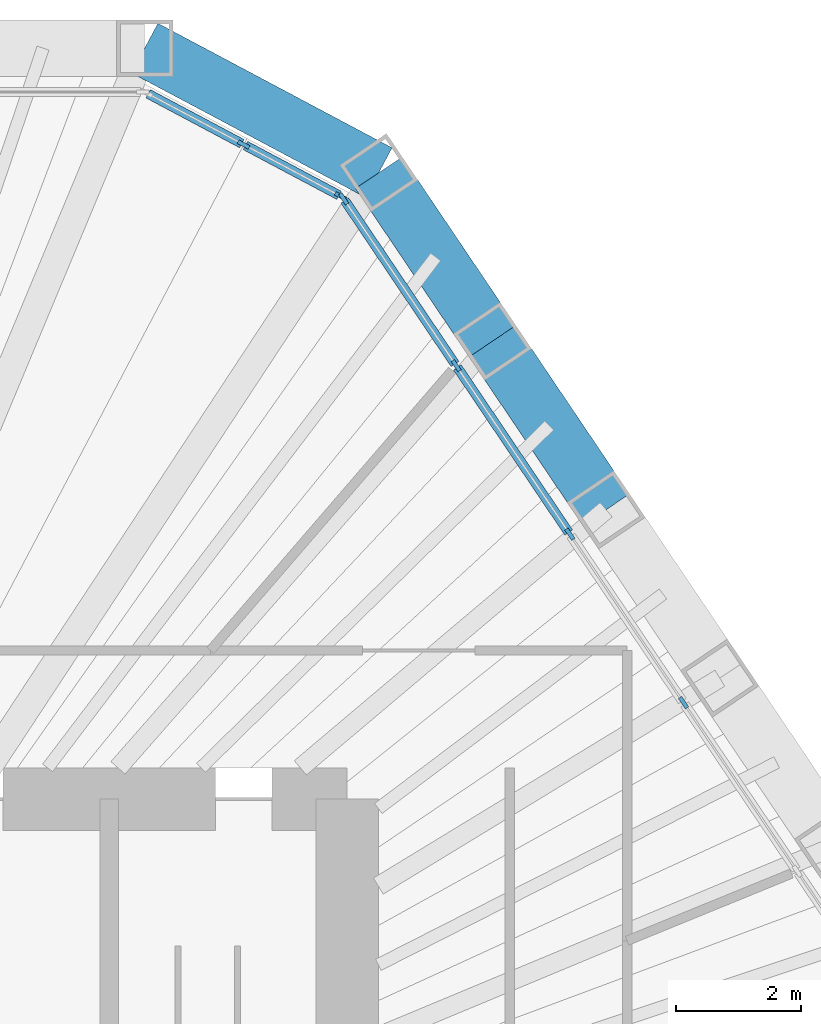
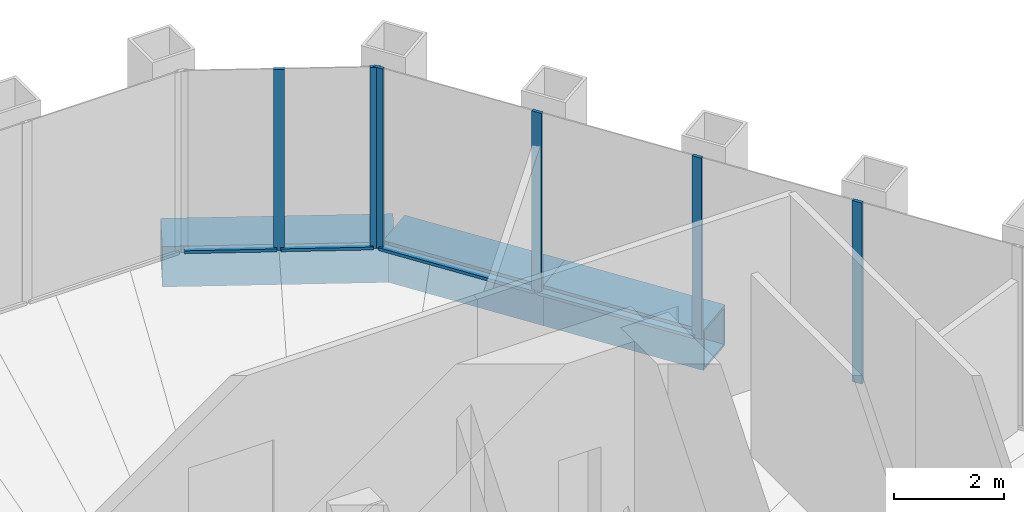
# One storey, part 8 of 14: 10 members, 3 beams, 2 elements without a shape of their own.
"""IFC4 building model written with IfcOpenShell, lengths in metres."""

from ifc_helpers import new_model, si_unit, direction, frame, origin, origin_2d, place, context, subcontext, project, spatial, rectangle, hollow_rectangle, extrude, material, material_profile, profile_set, type_object, element, aggregate, save


model = new_model("IFC4")

# Units and contexts
model_context = context("Model", 3, precision=1e-05, world=origin(), true_north=direction((0.0, 1.0)))
body_context = subcontext(model_context, "Body", "Model", "MODEL_VIEW")
ifc_project = project(units=[si_unit("LENGTHUNIT", "METRE"), si_unit("AREAUNIT", "SQUARE_METRE"), si_unit("VOLUMEUNIT", "CUBIC_METRE"), si_unit("PLANEANGLEUNIT", "RADIAN"), si_unit("MASSUNIT", "GRAM", prefix="KILO")], contexts=[model_context])

# Site, building, storey
site_placement = place(None, origin())
site = spatial("IfcSite", under=ifc_project, at=site_placement, CompositionType="ELEMENT")
building_placement = place(site_placement, origin())
building = spatial("IfcBuilding", under=site, at=building_placement, Name="Qingtian Harvest Tower", CompositionType="ELEMENT")
storey_placement = place(building_placement, frame((0.0, 0.0, 274.60009765625)))
storey = spatial("IfcBuildingStorey", under=building, at=storey_placement, Name="L60", CompositionType="ELEMENT", Elevation=274.60009765625)

# Curtain wall, members
ifc_material_1 = material(Name="Bronze-anodised aluminium curtain wall", Category="aluminium")
curtain_wall_type = type_object("IfcCurtainWallType", Name="Curtain wall CW5 upper office", PredefinedType="USERDEFINED", material=ifc_material_1)
curtain_wall_1_placement = place(storey_placement, origin())
curtain_wall_1 = element("IfcCurtainWall", 1, at=curtain_wall_1_placement, inside=storey, type_object=curtain_wall_type, Name="Curtain wall CW5 L60 NC", ObjectType="RECESSED CURTAIN WALL", PredefinedType="USERDEFINED")
ifc_material_2 = material(Name="Bronze-anodised aluminium mullion", Category="aluminium")
ifc_material_profile_1 = material_profile(ifc_material_2, rectangle(XDim=0.06494140625, YDim=0.199951171875, at=origin_2d()), Name="AL 65x200")
ifc_profile_set_1 = profile_set([ifc_material_profile_1], Name="Bronze-anodised aluminium mullion")
member_type_1 = type_object("IfcMemberType", Name="Mullion CWM 65x200", PredefinedType="MULLION", material=ifc_profile_set_1)
member_1_placement = place(storey_placement, frame((10.3466796875, 19.45947265625, 0.0), z_axis=(0.0, 0.0, 1.0), x_axis=(0.469471562786, 0.882947592859, 0.0)))
member_1 = element("IfcMember", 2, at=member_1_placement, type_object=member_type_1, Name="CW5 mullion 2", PredefinedType="MULLION", context=body_context, shape_type="SweptSolid", body=[
    extrude(rectangle(XDim=0.06494140625, YDim=0.199951171875, at=origin_2d()), origin(), (0.0, 0.0, 1.0), 4.02978515625),
])
member_2_placement = place(storey_placement, frame((11.89892578125, 18.634033203125, 0.0), z_axis=(0.0, 0.0, 1.0), x_axis=(0.469471562786, 0.882947592859, 0.0)))
member_2 = element("IfcMember", 3, at=member_2_placement, type_object=member_type_1, Name="CW5 mullion 3", PredefinedType="MULLION", context=body_context, shape_type="SweptSolid", body=[
    extrude(rectangle(XDim=0.06494140625, YDim=0.199951171875, at=origin_2d()), origin(), (0.0, 0.0, 1.0), 4.02978515625),
])

curtain_wall_2_placement = place(storey_placement, origin())
curtain_wall_2 = element("IfcCurtainWall", 4, at=curtain_wall_2_placement, inside=storey, type_object=curtain_wall_type, Name="Curtain wall CW5 L60 NE0-5", ObjectType="RECESSED CURTAIN WALL", PredefinedType="USERDEFINED")
member_3_placement = place(storey_placement, frame((11.94580078125, 18.592041015625, 0.0), z_axis=(0.0, 0.0, 1.0), x_axis=(0.829037572555, 0.559192903471, 0.0)))
member_3 = element("IfcMember", 5, at=member_3_placement, type_object=member_type_1, Name="CW5 mullion 1", PredefinedType="MULLION", context=body_context, shape_type="SweptSolid", body=[
    extrude(rectangle(XDim=0.06494140625, YDim=0.199951171875, at=origin_2d()), origin(), (0.0, 0.0, 1.0), 4.02978515625),
])
member_4_placement = place(storey_placement, frame((13.743896484375, 15.926025390625, 0.0), z_axis=(0.0, 0.0, 1.0), x_axis=(0.829037572555, 0.559192903471, 0.0)))
member_4 = element("IfcMember", 6, at=member_4_placement, type_object=member_type_1, Name="CW5 mullion 2", PredefinedType="MULLION", context=body_context, shape_type="SweptSolid", body=[
    extrude(rectangle(XDim=0.06494140625, YDim=0.199951171875, at=origin_2d()), origin(), (0.0, 0.0, 1.0), 4.02978515625),
])
member_5_placement = place(storey_placement, frame((15.56005859375, 13.2333984375, 0.0), z_axis=(0.0, 0.0, 1.0), x_axis=(0.829037572555, 0.559192903471, 0.0)))
member_5 = element("IfcMember", 7, at=member_5_placement, type_object=member_type_1, Name="CW5 mullion 3", PredefinedType="MULLION", context=body_context, shape_type="SweptSolid", body=[
    extrude(rectangle(XDim=0.06494140625, YDim=0.199951171875, at=origin_2d()), origin(), (0.0, 0.0, 1.0), 4.02978515625),
])
member_6_placement = place(storey_placement, frame((17.37646484375, 10.540771484375, 0.0), z_axis=(0.0, 0.0, 1.0), x_axis=(0.829037572555, 0.559192903471, 0.0)))
member_6 = element("IfcMember", 8, at=member_6_placement, type_object=member_type_1, Name="CW5 mullion 4", PredefinedType="MULLION", context=body_context, shape_type="SweptSolid", body=[
    extrude(rectangle(XDim=0.06494140625, YDim=0.199951171875, at=origin_2d()), origin(), (0.0, 0.0, 1.0), 4.02978515625),
])

# Beams
ifc_material_3 = material(Name="Steel SM570MC", Category="steel")
ifc_material_profile_2 = material_profile(ifc_material_3, hollow_rectangle(XDim=0.89990234375, YDim=0.89990234375, WallThickness=0.050048828125, at=origin_2d()), Name="BOX900x900x50")
ifc_profile_set_2 = profile_set([ifc_material_profile_2], Name="Steel SM570MC")
beam_type = type_object("IfcBeamType", Name="Transition spandrel SB6 BOX900x900x50", PredefinedType="SPANDREL", material=ifc_profile_set_2)
beam_1_placement = place(storey_placement, frame((8.765869140625, 21.0, -0.4501953125), z_axis=(0.882948599748, -0.469469669099, 0.0), x_axis=(0.469469669099, 0.882948599748, 0.0)))
element("IfcBeam", 9, at=beam_1_placement, inside=storey, type_object=beam_type, Name="Spandrel SB6 NC", PredefinedType="SPANDREL", context=body_context, shape_type="SweptSolid", body=[
    extrude(hollow_rectangle(XDim=0.89990234375, YDim=0.89990234375, WallThickness=0.050048828125, at=origin_2d()), origin(), (0.0, 0.0, 1.0), 4.23828125),
])
beam_2_placement = place(storey_placement, frame((12.508056640625, 19.01025390625, -0.4501953125), z_axis=(0.559184924833, -0.829042954158, 0.0), x_axis=(0.829042954158, 0.559184924833, 0.0)))
element("IfcBeam", 10, at=beam_2_placement, inside=storey, type_object=beam_type, Name="Spandrel SB6 NE0", PredefinedType="SPANDREL", context=body_context, shape_type="SweptSolid", body=[
    extrude(hollow_rectangle(XDim=0.89990234375, YDim=0.89990234375, WallThickness=0.050048828125, at=origin_2d()), origin(), (0.0, 0.0, 1.0), 3.247802734375),
])
beam_3_placement = place(storey_placement, frame((14.32421875, 16.317626953125, -0.4501953125), z_axis=(0.559201740147, -0.829031612073, 0.0), x_axis=(0.829031612073, 0.559201740147, 0.0)))
element("IfcBeam", 11, at=beam_3_placement, inside=storey, type_object=beam_type, Name="Spandrel SB6 NE1", PredefinedType="SPANDREL", context=body_context, shape_type="SweptSolid", body=[
    extrude(hollow_rectangle(XDim=0.89990234375, YDim=0.89990234375, WallThickness=0.050048828125, at=origin_2d()), origin(), (0.0, 0.0, 1.0), 3.248291015625),
])

# Member
ifc_material_4 = material(Name="Bronze-anodised aluminium transom", Category="aluminium")
ifc_material_profile_3 = material_profile(ifc_material_4, rectangle(XDim=0.14990234375, YDim=0.06494140625, at=origin_2d()), Name="AL 65x150")
ifc_profile_set_3 = profile_set([ifc_material_profile_3], Name="Bronze-anodised aluminium transom")
member_type_2 = type_object("IfcMemberType", Name="Transom CWT 65x150", PredefinedType="USERDEFINED", material=ifc_profile_set_3)
member_7_placement = place(storey_placement, frame((8.8232421875, 20.26953125, 0.032470703125), z_axis=(0.882927080927, -0.469510138086, 0.0), x_axis=(0.469510138086, 0.882927080927, 0.0)))
member_7 = element("IfcMember", 12, at=member_7_placement, type_object=member_type_2, Name="CW5 transom 1.1", ObjectType="TRANSOM", PredefinedType="USERDEFINED", context=body_context, shape_type="SweptSolid", body=[
    extrude(rectangle(XDim=0.14990234375, YDim=0.06494140625, at=origin_2d()), origin(), (0.0, 0.0, 1.0), 1.693115234375),
])

member_8_placement = place(storey_placement, frame((10.37548828125, 19.444091796875, 0.032470703125), z_axis=(0.882986854304, -0.469397715297, 0.0), x_axis=(0.469397715297, 0.882986854304, 0.0)))
member_8 = element("IfcMember", 13, at=member_8_placement, type_object=member_type_2, Name="CW5 transom 2.1", ObjectType="TRANSOM", PredefinedType="USERDEFINED", context=body_context, shape_type="SweptSolid", body=[
    extrude(rectangle(XDim=0.14990234375, YDim=0.06494140625, at=origin_2d()), origin(), (0.0, 0.0, 1.0), 1.69287109375),
])

aggregate(curtain_wall_1, [member_1, member_2, member_7, member_8])

member_9_placement = place(storey_placement, frame((11.9638671875, 18.56494140625, 0.032470703125), z_axis=(0.559251907839, -0.828997770551, 0.0), x_axis=(0.828997770551, 0.559251907839, 0.0)))
member_9 = element("IfcMember", 14, at=member_9_placement, type_object=member_type_2, Name="CW5 transom 1.1", ObjectType="TRANSOM", PredefinedType="USERDEFINED", context=body_context, shape_type="SweptSolid", body=[
    extrude(rectangle(XDim=0.14990234375, YDim=0.06494140625, at=origin_2d()), origin(), (0.0, 0.0, 1.0), 3.150634765625),
])

member_10_placement = place(storey_placement, frame((13.761962890625, 15.899169921875, 0.032470703125), z_axis=(0.55920542009, -0.829029129852, 0.0), x_axis=(0.829029129852, 0.55920542009, 0.0)))
member_10 = element("IfcMember", 15, at=member_10_placement, type_object=member_type_2, Name="CW5 transom 2.1", ObjectType="TRANSOM", PredefinedType="USERDEFINED", context=body_context, shape_type="SweptSolid", body=[
    extrude(rectangle(XDim=0.14990234375, YDim=0.06494140625, at=origin_2d()), origin(), (0.0, 0.0, 1.0), 3.18310546875),
])

aggregate(curtain_wall_2, [member_3, member_4, member_5, member_6, member_9, member_10])

save(model, "model.ifc")
